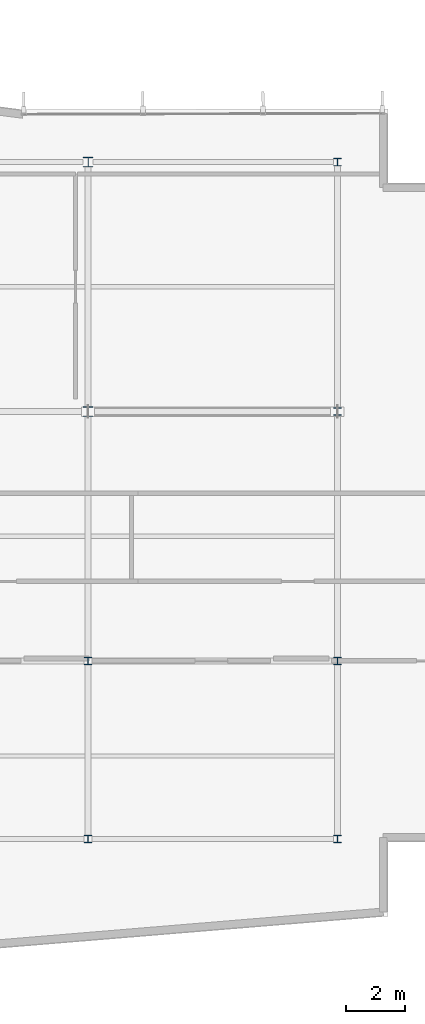
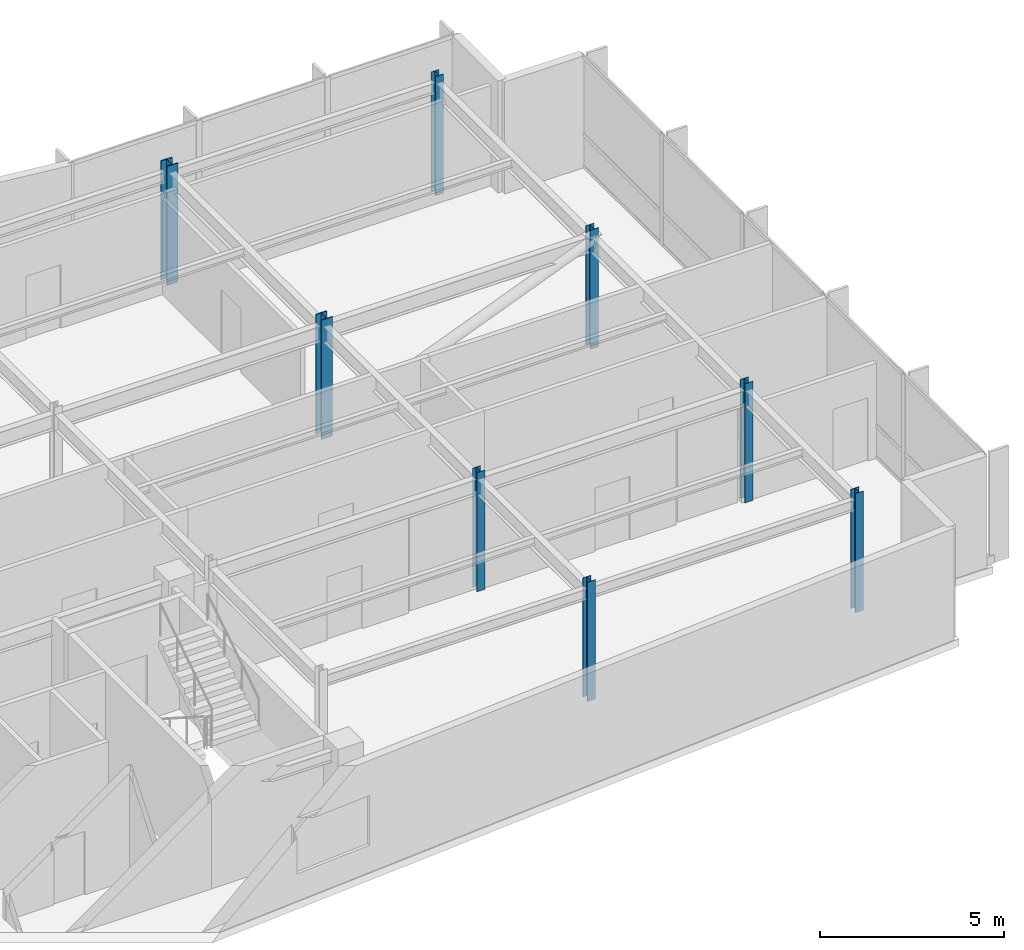
# One storey, part 3 of 19: 8 columns.
"""IFC4 building model written with IfcOpenShell, lengths in metres."""

from ifc_helpers import new_model, si_unit, direction, frame, origin, origin_2d, place, context, subcontext, project, spatial, i_section, extrude, material, material_profile, profile_set, type_object, element, save


model = new_model("IFC4")

# Units and contexts
model_context = context("Model", 3, precision=1e-05, world=origin(), true_north=direction((0.0, 1.0)))
body_context = subcontext(model_context, "Body", "Model", "MODEL_VIEW")
ifc_project = project(units=[si_unit("LENGTHUNIT", "METRE"), si_unit("AREAUNIT", "SQUARE_METRE"), si_unit("VOLUMEUNIT", "CUBIC_METRE"), si_unit("PLANEANGLEUNIT", "RADIAN"), si_unit("MASSUNIT", "GRAM", prefix="KILO")], contexts=[model_context])

# Site, building, storey
site_placement = place(None, origin())
site = spatial("IfcSite", under=ifc_project, at=site_placement, CompositionType="ELEMENT")
building_placement = place(site_placement, origin())
building = spatial("IfcBuilding", under=site, at=building_placement, Name="Varnakote Quay Hospital", CompositionType="ELEMENT")
storey_placement = place(building_placement, frame((0.0, 0.0, 240.75)))
storey = spatial("IfcBuildingStorey", under=building, at=storey_placement, Name="L59", CompositionType="ELEMENT", Elevation=240.75)

# Columns
ifc_material_1 = material(Name="Structural steel AS/NZS 3679.1 Grade 350 L0 (fy 340 MPa)", Category="steel")
ifc_material_profile_1 = material_profile(ifc_material_1, i_section(OverallWidth=0.25390625, OverallDepth=0.25390625, WebThickness=0.008544921875, FlangeThickness=0.01416015625, FilletRadius=0.0126953125, at=origin_2d()), Name="250UC72.9")
ifc_profile_set_1 = profile_set([ifc_material_profile_1], Name="Structural steel AS/NZS 3679.1 Grade 350 L0 (fy 340 MPa)")
column_type_1 = type_object("IfcColumnType", Name="COL-STL-250UC72-9", PredefinedType="COLUMN", material=ifc_profile_set_1)
for number, where, z_axis, x_axis, name in (
    (1, (33.60009765625, 6.0, 0.0), (0.0, 0.0, 1.0), (1.0, 0.0, 0.0), "L59 Structural Column C-34-6"),
    (2, (42.0, 6.0, 0.0), (0.0, 0.0, 1.0), (1.0, 0.0, 0.0), "L59 Structural Column C-42-6"),
    (3, (33.60009765625, 12.0, 0.0), (0.0, 0.0, 1.0), (1.0, 0.0, 0.0), "L59 Structural Column C-34-12"),
    (4, (42.0, 12.0, 0.0), (0.0, 0.0, 1.0), (1.0, 0.0, 0.0), "L59 Structural Column C-42-12"),
    (5, (42.0, 20.39990234375, 0.0), (0.0, 0.0, 1.0), (1.0, 0.0, 0.0), "L59 Structural Column C-42-20"),
    (6, (42.0, 28.800048828125, 0.0), (0.0, 0.0, 1.0), (1.0, 0.0, 0.0), "L59 Structural Column C-42-29"),
):
    element("IfcColumn", number, at=place(storey_placement, frame(where, z_axis=z_axis, x_axis=x_axis)), inside=storey, type_object=column_type_1, Name=name, PredefinedType="COLUMN", context=body_context, shape_type="SweptSolid", body=[
        extrude(i_section(OverallWidth=0.25390625, OverallDepth=0.25390625, WebThickness=0.008544921875, FlangeThickness=0.01416015625, FilletRadius=0.0126953125, at=origin_2d()), origin(), (0.0, 0.0, 1.0), 3.949951171875),
    ])
ifc_material_2 = material(Name="Structural steel AS/NZS 3678 Grade 350 (fy 340 MPa)", Category="steel")
ifc_material_profile_2 = material_profile(ifc_material_2, i_section(OverallWidth=0.35009765625, OverallDepth=0.340087890625, WebThickness=0.01611328125, FlangeThickness=0.028076171875, at=origin_2d()), Name="350WC197")
ifc_profile_set_2 = profile_set([ifc_material_profile_2], Name="Structural steel AS/NZS 3678 Grade 350 (fy 340 MPa)")
column_type_2 = type_object("IfcColumnType", Name="COL-STL-350WC197", PredefinedType="COLUMN", material=ifc_profile_set_2)
for number, where, z_axis, x_axis, name in (
    (7, (33.60009765625, 20.39990234375, 0.0), (0.0, 0.0, 1.0), (1.0, 0.0, 0.0), "L59 Structural Column C-34-20"),
    (8, (33.60009765625, 28.800048828125, 0.0), (0.0, 0.0, 1.0), (1.0, 0.0, 0.0), "L59 Structural Column C-34-29"),
):
    element("IfcColumn", number, at=place(storey_placement, frame(where, z_axis=z_axis, x_axis=x_axis)), inside=storey, type_object=column_type_2, Name=name, PredefinedType="COLUMN", context=body_context, shape_type="SweptSolid", body=[
        extrude(i_section(OverallWidth=0.35009765625, OverallDepth=0.340087890625, WebThickness=0.01611328125, FlangeThickness=0.028076171875, at=origin_2d()), origin(), (0.0, 0.0, 1.0), 3.949951171875),
    ])

save(model, "model.ifc")
